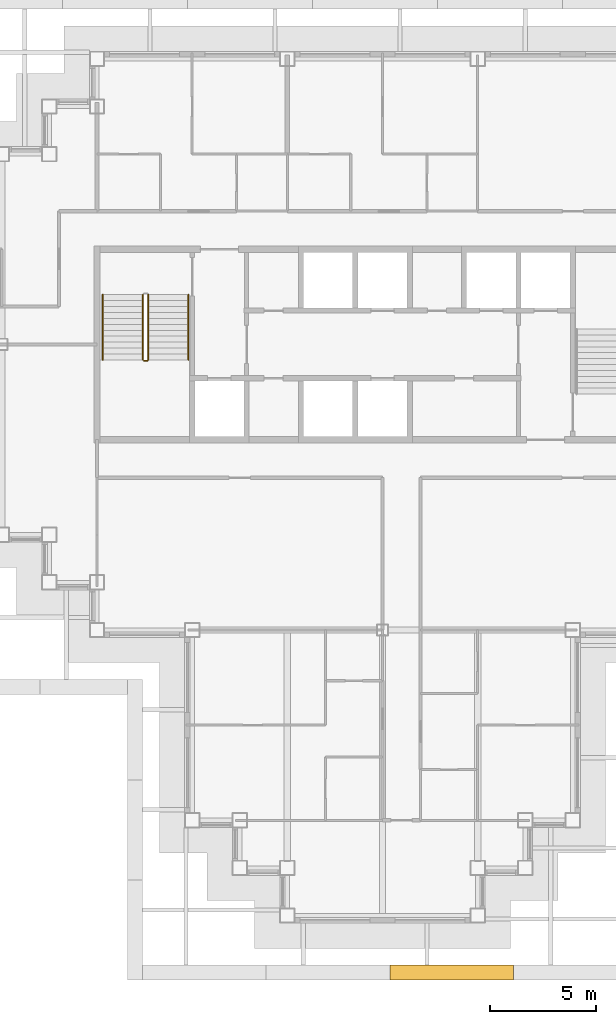
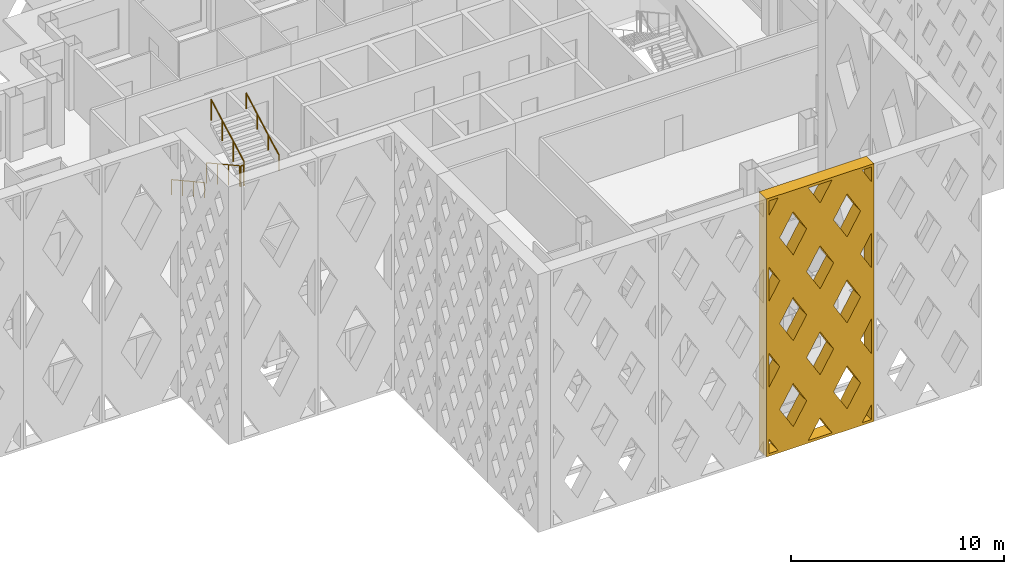
# One storey, part 12 of 16: 5 railings, 1 shading device.
"""IFC4 building model written with IfcOpenShell, lengths in metres."""

from ifc_helpers import new_model, si_unit, direction, frame, origin, origin_2d, place, context, subcontext, project, spatial, polyline, circle, outline, extrude, material, type_object, element, save


model = new_model("IFC4")

# Units and contexts
model_context = context("Model", 3, precision=1e-05, world=origin(), true_north=direction((0.0, 1.0)))
body_context = subcontext(model_context, "Body", "Model", "MODEL_VIEW")
ifc_project = project(units=[si_unit("LENGTHUNIT", "METRE"), si_unit("AREAUNIT", "SQUARE_METRE"), si_unit("VOLUMEUNIT", "CUBIC_METRE"), si_unit("PLANEANGLEUNIT", "RADIAN"), si_unit("MASSUNIT", "GRAM", prefix="KILO")], contexts=[model_context])

# Site, building, storey
site_placement = place(None, origin())
site = spatial("IfcSite", under=ifc_project, at=site_placement, CompositionType="ELEMENT")
building_placement = place(site_placement, origin())
building = spatial("IfcBuilding", under=site, at=building_placement, Name="Caravel Reach Hotel and Residences", CompositionType="ELEMENT")
storey_placement = place(building_placement, frame((0.0, 0.0, 207.199951171875)))
storey = spatial("IfcBuildingStorey", under=building, at=storey_placement, Name="L52", CompositionType="ELEMENT", Elevation=207.199951171875)

# Shading device
ifc_material_1 = material(Name="Black powder-coated aluminium", Category="aluminium")
shading_device_type = type_object("IfcShadingDeviceType", Name="Diamond lattice screen panel 5850 x 14800", PredefinedType="USERDEFINED", material=ifc_material_1)
shading_device_placement = place(storey_placement, frame((31.85009765625, -2.35009765625, 0.0), z_axis=(0.0, -1.0, 0.0), x_axis=(1.0, 0.0, 0.0)))
element("IfcShadingDevice", 1, at=shading_device_placement, inside=storey, type_object=shading_device_type, Name="Lattice screen L52-L55 12.3", ObjectType="SCREEN", PredefinedType="USERDEFINED", context=body_context, shape_type="SweptSolid", body=[
    extrude(outline(polyline([(0.0, 0.0), (5.85009765625, 0.0), (5.85009765625, 14.800048828125), (0.0, 14.800048828125), (0.0, 0.0)]), holes=[polyline([(0.644775390625, 0.14990234375), (0.14990234375, 0.984375), (0.14990234375, 0.14990234375), (0.644775390625, 0.14990234375)]), polyline([(0.733642578125, 4.933349609375), (0.14990234375, 5.917724609375), (0.14990234375, 3.948974609375), (0.733642578125, 4.933349609375)]), polyline([(0.733642578125, 9.86669921875), (0.14990234375, 10.85107421875), (0.14990234375, 8.88232421875), (0.733642578125, 9.86669921875)]), polyline([(0.14990234375, 13.815673828125), (0.644775390625, 14.64990234375), (0.14990234375, 14.64990234375), (0.14990234375, 13.815673828125)]), polyline([(1.46240234375, 3.703857421875), (0.72900390625, 2.466552734375), (1.46240234375, 1.2294921875), (2.196044921875, 2.466552734375), (1.46240234375, 3.703857421875)]), polyline([(1.46240234375, 8.63720703125), (0.72900390625, 7.39990234375), (1.46240234375, 6.16259765625), (2.196044921875, 7.39990234375), (1.46240234375, 8.63720703125)]), polyline([(1.46240234375, 13.570556640625), (0.72900390625, 12.333251953125), (1.46240234375, 11.095947265625), (2.196044921875, 12.333251953125), (1.46240234375, 13.570556640625)]), polyline([(2.925048828125, 1.2373046875), (2.2802734375, 0.14990234375), (3.569580078125, 0.14990234375), (2.925048828125, 1.2373046875)]), polyline([(2.925048828125, 6.170654296875), (2.19140625, 4.933349609375), (2.925048828125, 3.696044921875), (3.65869140625, 4.933349609375), (2.925048828125, 6.170654296875)]), polyline([(2.925048828125, 11.10400390625), (2.19140625, 9.86669921875), (2.925048828125, 8.62939453125), (3.65869140625, 9.86669921875), (2.925048828125, 11.10400390625)]), polyline([(2.925048828125, 13.562744140625), (3.569580078125, 14.64990234375), (2.2802734375, 14.64990234375), (2.925048828125, 13.562744140625)]), polyline([(4.387451171875, 3.703857421875), (3.65380859375, 2.466552734375), (4.387451171875, 1.2294921875), (5.12109375, 2.466552734375), (4.387451171875, 3.703857421875)]), polyline([(4.387451171875, 8.63720703125), (3.65380859375, 7.39990234375), (4.387451171875, 6.16259765625), (5.12109375, 7.39990234375), (4.387451171875, 8.63720703125)]), polyline([(4.387451171875, 13.570556640625), (3.65380859375, 12.333251953125), (4.387451171875, 11.095947265625), (5.12109375, 12.333251953125), (4.387451171875, 13.570556640625)]), polyline([(5.699951171875, 0.984375), (5.205322265625, 0.14990234375), (5.699951171875, 0.14990234375), (5.699951171875, 0.984375)]), polyline([(5.116455078125, 4.933349609375), (5.699951171875, 3.948974609375), (5.699951171875, 5.917724609375), (5.116455078125, 4.933349609375)]), polyline([(5.116455078125, 9.86669921875), (5.699951171875, 8.88232421875), (5.699951171875, 10.85107421875), (5.116455078125, 9.86669921875)]), polyline([(5.205322265625, 14.64990234375), (5.699951171875, 13.815673828125), (5.699951171875, 14.64990234375), (5.205322265625, 14.64990234375)])]), origin(), (0.0, 0.0, 1.0), 0.699951171875),
])

# Railings
ifc_material_2 = material(Name="Steel balustrade with glass infill", Category="steel")
railing_type_1 = type_object("IfcRailingType", Name="Guard 1200", PredefinedType="GUARDRAIL", material=ifc_material_2)
railing_1_placement = place(storey_placement, frame((20.175048828125, 29.35009765625, 0.154296875)))
element("IfcRailing", 2, at=railing_1_placement, inside=storey, type_object=railing_type_1, Name="L52 ST-A stair guard 1", PredefinedType="GUARDRAIL", context=body_context, shape_type="SweptSolid", body=[
    extrude(circle(Radius=0.02392578125, at=origin_2d()), frame((0.0, 0.0, 1.17578125), z_axis=(0.0, -0.876004717809, 0.482302534076), x_axis=(1.0, 0.0, 0.0)), (0.0, 0.0, 1.0), 3.51611328125),
    extrude(circle(Radius=0.02099609375, at=origin_2d()), origin(), (0.0, 0.0, 1.0), 1.15185546875),
    extrude(circle(Radius=0.02099609375, at=origin_2d()), frame((0.0, -1.026611328125, 0.565185546875)), (0.0, 0.0, 1.0), 1.15185546875),
    extrude(circle(Radius=0.02099609375, at=origin_2d()), frame((0.0, -2.053466796875, 1.130615234375)), (0.0, 0.0, 1.0), 1.15185546875),
    extrude(circle(Radius=0.02099609375, at=origin_2d()), frame((0.0, -3.080078125, 1.69580078125)), (0.0, 0.0, 1.0), 1.15185546875),
])
railing_2_placement = place(storey_placement, frame((20.22509765625, 26.219970703125, 1.85009765625)))
element("IfcRailing", 3, at=railing_2_placement, inside=storey, type_object=railing_type_1, Name="L52 ST-A stair guard 2", PredefinedType="GUARDRAIL", context=body_context, shape_type="SweptSolid", body=[
    extrude(circle(Radius=0.02392578125, at=origin_2d()), frame((0.0, 0.0, 1.17578125), z_axis=(1.0, 0.0, 0.0), x_axis=(0.0, 1.0, 0.0)), (0.0, 0.0, 1.0), 0.14990234375),
    extrude(circle(Radius=0.02099609375, at=origin_2d()), origin(), (0.0, 0.0, 1.0), 1.15185546875),
    extrude(circle(Radius=0.02099609375, at=origin_2d()), frame((0.14990234375, 0.0, 0.0)), (0.0, 0.0, 1.0), 1.15185546875),
])
railing_3_placement = place(storey_placement, frame((20.425048828125, 26.27001953125, 2.004150390625)))
element("IfcRailing", 4, at=railing_3_placement, inside=storey, type_object=railing_type_1, Name="L52 ST-A stair guard 3", PredefinedType="GUARDRAIL", context=body_context, shape_type="SweptSolid", body=[
    extrude(circle(Radius=0.02392578125, at=origin_2d()), frame((0.0, 0.0, 1.17578125), z_axis=(0.0, 0.876004717809, 0.482302534076), x_axis=(-1.0, 0.0, 0.0)), (0.0, 0.0, 1.0), 3.51611328125),
    extrude(circle(Radius=0.02099609375, at=origin_2d()), origin(), (0.0, 0.0, 1.0), 1.15185546875),
    extrude(circle(Radius=0.02099609375, at=origin_2d()), frame((0.0, 1.026611328125, 0.565185546875)), (0.0, 0.0, 1.0), 1.15185546875),
    extrude(circle(Radius=0.02099609375, at=origin_2d()), frame((0.0, 2.053466796875, 1.130615234375)), (0.0, 0.0, 1.0), 1.15185546875),
    extrude(circle(Radius=0.02099609375, at=origin_2d()), frame((0.0, 3.080078125, 1.69580078125)), (0.0, 0.0, 1.0), 1.15185546875),
])
ifc_material_3 = material(Name="Stainless steel handrail", Category="steel")
railing_type_2 = type_object("IfcRailingType", Name="Handrail 900", PredefinedType="HANDRAIL", material=ifc_material_3)
railing_4_placement = place(storey_placement, frame((18.27490234375, 29.35009765625, 0.154296875)))
element("IfcRailing", 5, at=railing_4_placement, inside=storey, type_object=railing_type_2, Name="L52 ST-A stair handrail 1", PredefinedType="HANDRAIL", context=body_context, shape_type="SweptSolid", body=[
    extrude(circle(Radius=0.02392578125, at=origin_2d()), frame((0.0, 0.0, 0.8759765625), z_axis=(0.0, -0.876004717809, 0.482302534076), x_axis=(1.0, 0.0, 0.0)), (0.0, 0.0, 1.0), 3.51611328125),
    extrude(circle(Radius=0.02099609375, at=origin_2d()), origin(), (0.0, 0.0, 1.0), 0.851806640625),
    extrude(circle(Radius=0.02099609375, at=origin_2d()), frame((0.0, -1.026611328125, 0.565185546875)), (0.0, 0.0, 1.0), 0.851806640625),
    extrude(circle(Radius=0.02099609375, at=origin_2d()), frame((0.0, -2.053466796875, 1.130615234375)), (0.0, 0.0, 1.0), 0.851806640625),
    extrude(circle(Radius=0.02099609375, at=origin_2d()), frame((0.0, -3.080078125, 1.69580078125)), (0.0, 0.0, 1.0), 0.851806640625),
])
railing_5_placement = place(storey_placement, frame((22.324951171875, 26.27001953125, 2.004150390625)))
element("IfcRailing", 6, at=railing_5_placement, inside=storey, type_object=railing_type_2, Name="L52 ST-A stair handrail 2", PredefinedType="HANDRAIL", context=body_context, shape_type="SweptSolid", body=[
    extrude(circle(Radius=0.02392578125, at=origin_2d()), frame((0.0, 0.0, 0.8759765625), z_axis=(0.0, 0.876004717809, 0.482302534076), x_axis=(-1.0, 0.0, 0.0)), (0.0, 0.0, 1.0), 3.51611328125),
    extrude(circle(Radius=0.02099609375, at=origin_2d()), origin(), (0.0, 0.0, 1.0), 0.851806640625),
    extrude(circle(Radius=0.02099609375, at=origin_2d()), frame((0.0, 1.026611328125, 0.565185546875)), (0.0, 0.0, 1.0), 0.851806640625),
    extrude(circle(Radius=0.02099609375, at=origin_2d()), frame((0.0, 2.053466796875, 1.130615234375)), (0.0, 0.0, 1.0), 0.851806640625),
    extrude(circle(Radius=0.02099609375, at=origin_2d()), frame((0.0, 3.080078125, 1.69580078125)), (0.0, 0.0, 1.0), 0.851806640625),
])

save(model, "model.ifc")
